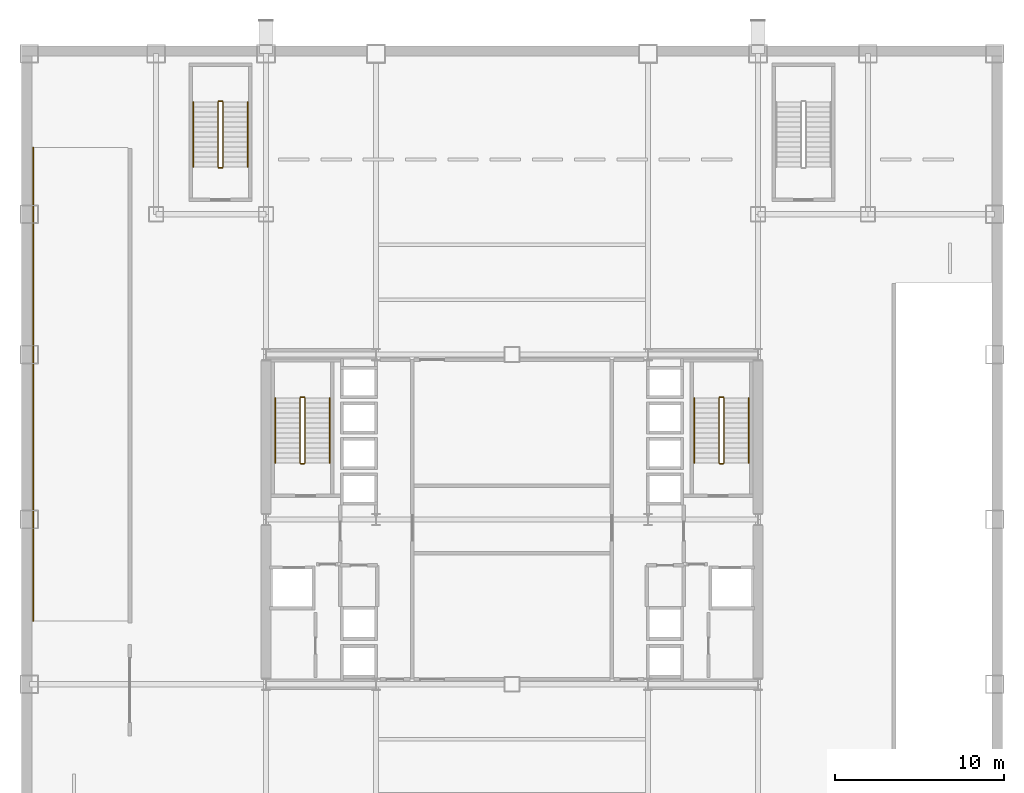
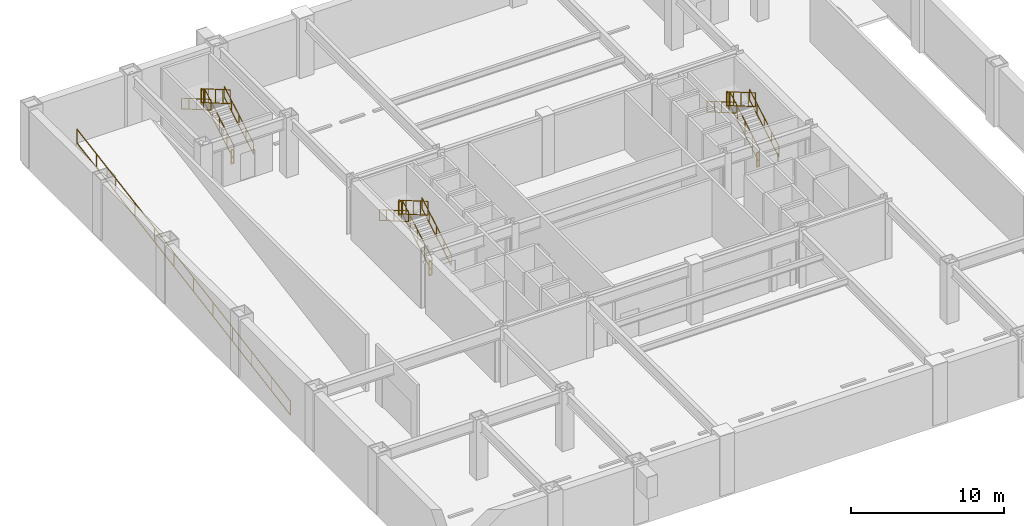
# One storey, part 9 of 10: 19 railings.
"""IFC4 building model written with IfcOpenShell, lengths in metres."""

from ifc_helpers import new_model, si_unit, direction, frame, origin, origin_2d, place, context, subcontext, project, spatial, rectangle, extrude, material, type_object, element, save


model = new_model("IFC4")

# Units and contexts
model_context = context("Model", 3, precision=1e-05, world=origin(), true_north=direction((0.0, 1.0)))
body_context = subcontext(model_context, "Body", "Model", "MODEL_VIEW")
ifc_project = project(units=[si_unit("LENGTHUNIT", "METRE"), si_unit("AREAUNIT", "SQUARE_METRE"), si_unit("VOLUMEUNIT", "CUBIC_METRE"), si_unit("PLANEANGLEUNIT", "RADIAN"), si_unit("MASSUNIT", "GRAM", prefix="KILO")], contexts=[model_context])

# Site, building, storey
site_placement = place(None, origin())
site = spatial("IfcSite", under=ifc_project, at=site_placement, CompositionType="ELEMENT")
building_placement = place(site_placement, origin())
building = spatial("IfcBuilding", under=site, at=building_placement, Name="Brelmoor Portico Tower", CompositionType="ELEMENT")
storey_placement = place(building_placement, frame((0.0, 0.0, -4.800048828125)))
storey = spatial("IfcBuildingStorey", under=building, at=storey_placement, Name="B1", CompositionType="ELEMENT", Elevation=-4.800048828125)

# Railings
ifc_material_1 = material(Name="Painted Tubular Steel Q235B", Category="steel")
railing_type_1 = type_object("IfcRailingType", Name="RL-STAIR-GUARD", PredefinedType="GUARDRAIL", material=ifc_material_1)
railing_1_placement = place(storey_placement, frame((-12.239990234375, 3.35009765625, 0.17138671875)))
element("IfcRailing", 1, at=railing_1_placement, inside=storey, type_object=railing_type_1, Name="B1 ST-W stair guard 1", PredefinedType="GUARDRAIL", context=body_context, shape_type="SweptSolid", body=[
    extrude(rectangle(XDim=0.048095703125, YDim=0.048095703125, at=origin_2d()), frame((0.0, 0.0, 1.1259765625), z_axis=(0.0, 0.864592272851, 0.502474080651), x_axis=(-1.0, 0.0, 0.0)), (0.0, 0.0, 1.0), 4.435546875),
    extrude(rectangle(XDim=0.048095703125, YDim=0.048095703125, at=origin_2d()), frame((0.0, 0.0, 0.02392578125), z_axis=(0.0, 0.864592272851, 0.502474080651), x_axis=(-1.0, 0.0, 0.0)), (0.0, 0.0, 1.0), 4.435546875),
    extrude(rectangle(XDim=0.0419921875, YDim=0.0419921875, at=origin_2d()), origin(), (0.0, 0.0, 1.0), 1.101806640625),
    extrude(rectangle(XDim=0.0419921875, YDim=0.0419921875, at=origin_2d()), frame((0.0, 0.958740234375, 0.55712890625)), (0.0, 0.0, 1.0), 1.101806640625),
    extrude(rectangle(XDim=0.0419921875, YDim=0.0419921875, at=origin_2d()), frame((0.0, 1.91748046875, 1.1142578125)), (0.0, 0.0, 1.0), 1.101806640625),
    extrude(rectangle(XDim=0.0419921875, YDim=0.0419921875, at=origin_2d()), frame((0.0, 2.876220703125, 1.671630859375)), (0.0, 0.0, 1.0), 1.101806640625),
    extrude(rectangle(XDim=0.0419921875, YDim=0.0419921875, at=origin_2d()), frame((0.0, 3.8349609375, 2.228759765625)), (0.0, 0.0, 1.0), 1.101806640625),
])
railing_2_placement = place(storey_placement, frame((-12.2900390625, 7.235107421875, 2.400146484375)))
element("IfcRailing", 2, at=railing_2_placement, inside=storey, type_object=railing_type_1, Name="B1 ST-W stair guard 2", PredefinedType="GUARDRAIL", context=body_context, shape_type="SweptSolid", body=[
    extrude(rectangle(XDim=0.048095703125, YDim=0.048095703125, at=origin_2d()), frame((0.0, 0.0, 1.1259765625), z_axis=(-1.0, 0.0, 0.0), x_axis=(0.0, -1.0, 0.0)), (0.0, 0.0, 1.0), 0.199951171875),
    extrude(rectangle(XDim=0.048095703125, YDim=0.048095703125, at=origin_2d()), frame((0.0, 0.0, 0.02392578125), z_axis=(-1.0, 0.0, 0.0), x_axis=(0.0, -1.0, 0.0)), (0.0, 0.0, 1.0), 0.199951171875),
    extrude(rectangle(XDim=0.0419921875, YDim=0.0419921875, at=origin_2d()), origin(), (0.0, 0.0, 1.0), 1.101806640625),
    extrude(rectangle(XDim=0.0419921875, YDim=0.0419921875, at=origin_2d()), frame((-0.199951171875, 0.0, 0.0)), (0.0, 0.0, 1.0), 1.101806640625),
])
railing_3_placement = place(storey_placement, frame((-12.5400390625, 7.18505859375, 2.571533203125)))
element("IfcRailing", 3, at=railing_3_placement, inside=storey, type_object=railing_type_1, Name="B1 ST-W stair guard 3", PredefinedType="GUARDRAIL", context=body_context, shape_type="SweptSolid", body=[
    extrude(rectangle(XDim=0.048095703125, YDim=0.048095703125, at=origin_2d()), frame((0.0, 0.0, 1.1259765625), z_axis=(0.0, -0.86461618451, 0.502432934314), x_axis=(1.0, 0.0, 0.0)), (0.0, 0.0, 1.0), 4.435546875),
    extrude(rectangle(XDim=0.048095703125, YDim=0.048095703125, at=origin_2d()), frame((0.0, 0.0, 0.02392578125), z_axis=(0.0, -0.86461618451, 0.502432934314), x_axis=(1.0, 0.0, 0.0)), (0.0, 0.0, 1.0), 4.435546875),
    extrude(rectangle(XDim=0.0419921875, YDim=0.0419921875, at=origin_2d()), origin(), (0.0, 0.0, 1.0), 1.101806640625),
    extrude(rectangle(XDim=0.0419921875, YDim=0.0419921875, at=origin_2d()), frame((0.0, -0.958740234375, 0.55712890625)), (0.0, 0.0, 1.0), 1.101806640625),
    extrude(rectangle(XDim=0.0419921875, YDim=0.0419921875, at=origin_2d()), frame((0.0, -1.91748046875, 1.1142578125)), (0.0, 0.0, 1.0), 1.101806640625),
    extrude(rectangle(XDim=0.0419921875, YDim=0.0419921875, at=origin_2d()), frame((0.0, -2.876220703125, 1.67138671875)), (0.0, 0.0, 1.0), 1.101806640625),
    extrude(rectangle(XDim=0.0419921875, YDim=0.0419921875, at=origin_2d()), frame((0.0, -3.8349609375, 2.228515625)), (0.0, 0.0, 1.0), 1.101806640625),
])
railing_4_placement = place(storey_placement, frame((-12.2900390625, 3.300048828125, 0.0)))
element("IfcRailing", 4, at=railing_4_placement, inside=storey, type_object=railing_type_1, Name="B1 ST-W stair guard 4", PredefinedType="GUARDRAIL", context=body_context, shape_type="SweptSolid", body=[
    extrude(rectangle(XDim=0.048095703125, YDim=0.048095703125, at=origin_2d()), frame((0.0, 0.0, 1.1259765625), z_axis=(-1.0, 0.0, 0.0), x_axis=(0.0, -1.0, 0.0)), (0.0, 0.0, 1.0), 0.199951171875),
    extrude(rectangle(XDim=0.048095703125, YDim=0.048095703125, at=origin_2d()), frame((0.0, 0.0, 0.02392578125), z_axis=(-1.0, 0.0, 0.0), x_axis=(0.0, -1.0, 0.0)), (0.0, 0.0, 1.0), 0.199951171875),
    extrude(rectangle(XDim=0.0419921875, YDim=0.0419921875, at=origin_2d()), origin(), (0.0, 0.0, 1.0), 1.101806640625),
    extrude(rectangle(XDim=0.0419921875, YDim=0.0419921875, at=origin_2d()), frame((-0.199951171875, 0.0, 0.0)), (0.0, 0.0, 1.0), 1.101806640625),
])
railing_5_placement = place(storey_placement, frame((12.5400390625, 3.35009765625, 0.17138671875)))
element("IfcRailing", 5, at=railing_5_placement, inside=storey, type_object=railing_type_1, Name="B1 ST-E stair guard 1", PredefinedType="GUARDRAIL", context=body_context, shape_type="SweptSolid", body=[
    extrude(rectangle(XDim=0.048095703125, YDim=0.048095703125, at=origin_2d()), frame((0.0, 0.0, 1.1259765625), z_axis=(0.0, 0.864592272851, 0.502474080651), x_axis=(-1.0, 0.0, 0.0)), (0.0, 0.0, 1.0), 4.435546875),
    extrude(rectangle(XDim=0.048095703125, YDim=0.048095703125, at=origin_2d()), frame((0.0, 0.0, 0.02392578125), z_axis=(0.0, 0.864592272851, 0.502474080651), x_axis=(-1.0, 0.0, 0.0)), (0.0, 0.0, 1.0), 4.435546875),
    extrude(rectangle(XDim=0.0419921875, YDim=0.0419921875, at=origin_2d()), origin(), (0.0, 0.0, 1.0), 1.101806640625),
    extrude(rectangle(XDim=0.0419921875, YDim=0.0419921875, at=origin_2d()), frame((0.0, 0.958740234375, 0.55712890625)), (0.0, 0.0, 1.0), 1.101806640625),
    extrude(rectangle(XDim=0.0419921875, YDim=0.0419921875, at=origin_2d()), frame((0.0, 1.91748046875, 1.1142578125)), (0.0, 0.0, 1.0), 1.101806640625),
    extrude(rectangle(XDim=0.0419921875, YDim=0.0419921875, at=origin_2d()), frame((0.0, 2.876220703125, 1.671630859375)), (0.0, 0.0, 1.0), 1.101806640625),
    extrude(rectangle(XDim=0.0419921875, YDim=0.0419921875, at=origin_2d()), frame((0.0, 3.8349609375, 2.228759765625)), (0.0, 0.0, 1.0), 1.101806640625),
])
railing_6_placement = place(storey_placement, frame((12.489990234375, 7.235107421875, 2.400146484375)))
element("IfcRailing", 6, at=railing_6_placement, inside=storey, type_object=railing_type_1, Name="B1 ST-E stair guard 2", PredefinedType="GUARDRAIL", context=body_context, shape_type="SweptSolid", body=[
    extrude(rectangle(XDim=0.048095703125, YDim=0.048095703125, at=origin_2d()), frame((0.0, 0.0, 1.1259765625), z_axis=(-1.0, 0.0, 0.0), x_axis=(0.0, -1.0, 0.0)), (0.0, 0.0, 1.0), 0.199951171875),
    extrude(rectangle(XDim=0.048095703125, YDim=0.048095703125, at=origin_2d()), frame((0.0, 0.0, 0.02392578125), z_axis=(-1.0, 0.0, 0.0), x_axis=(0.0, -1.0, 0.0)), (0.0, 0.0, 1.0), 0.199951171875),
    extrude(rectangle(XDim=0.0419921875, YDim=0.0419921875, at=origin_2d()), origin(), (0.0, 0.0, 1.0), 1.101806640625),
    extrude(rectangle(XDim=0.0419921875, YDim=0.0419921875, at=origin_2d()), frame((-0.199951171875, 0.0, 0.0)), (0.0, 0.0, 1.0), 1.101806640625),
])
railing_7_placement = place(storey_placement, frame((12.239990234375, 7.18505859375, 2.571533203125)))
element("IfcRailing", 7, at=railing_7_placement, inside=storey, type_object=railing_type_1, Name="B1 ST-E stair guard 3", PredefinedType="GUARDRAIL", context=body_context, shape_type="SweptSolid", body=[
    extrude(rectangle(XDim=0.048095703125, YDim=0.048095703125, at=origin_2d()), frame((0.0, 0.0, 1.1259765625), z_axis=(0.0, -0.86461618451, 0.502432934314), x_axis=(1.0, 0.0, 0.0)), (0.0, 0.0, 1.0), 4.435546875),
    extrude(rectangle(XDim=0.048095703125, YDim=0.048095703125, at=origin_2d()), frame((0.0, 0.0, 0.02392578125), z_axis=(0.0, -0.86461618451, 0.502432934314), x_axis=(1.0, 0.0, 0.0)), (0.0, 0.0, 1.0), 4.435546875),
    extrude(rectangle(XDim=0.0419921875, YDim=0.0419921875, at=origin_2d()), origin(), (0.0, 0.0, 1.0), 1.101806640625),
    extrude(rectangle(XDim=0.0419921875, YDim=0.0419921875, at=origin_2d()), frame((0.0, -0.958740234375, 0.55712890625)), (0.0, 0.0, 1.0), 1.101806640625),
    extrude(rectangle(XDim=0.0419921875, YDim=0.0419921875, at=origin_2d()), frame((0.0, -1.91748046875, 1.1142578125)), (0.0, 0.0, 1.0), 1.101806640625),
    extrude(rectangle(XDim=0.0419921875, YDim=0.0419921875, at=origin_2d()), frame((0.0, -2.876220703125, 1.67138671875)), (0.0, 0.0, 1.0), 1.101806640625),
    extrude(rectangle(XDim=0.0419921875, YDim=0.0419921875, at=origin_2d()), frame((0.0, -3.8349609375, 2.228515625)), (0.0, 0.0, 1.0), 1.101806640625),
])
railing_8_placement = place(storey_placement, frame((12.489990234375, 3.300048828125, 0.0)))
element("IfcRailing", 8, at=railing_8_placement, inside=storey, type_object=railing_type_1, Name="B1 ST-E stair guard 4", PredefinedType="GUARDRAIL", context=body_context, shape_type="SweptSolid", body=[
    extrude(rectangle(XDim=0.048095703125, YDim=0.048095703125, at=origin_2d()), frame((0.0, 0.0, 1.1259765625), z_axis=(-1.0, 0.0, 0.0), x_axis=(0.0, -1.0, 0.0)), (0.0, 0.0, 1.0), 0.199951171875),
    extrude(rectangle(XDim=0.048095703125, YDim=0.048095703125, at=origin_2d()), frame((0.0, 0.0, 0.02392578125), z_axis=(-1.0, 0.0, 0.0), x_axis=(0.0, -1.0, 0.0)), (0.0, 0.0, 1.0), 0.199951171875),
    extrude(rectangle(XDim=0.0419921875, YDim=0.0419921875, at=origin_2d()), origin(), (0.0, 0.0, 1.0), 1.101806640625),
    extrude(rectangle(XDim=0.0419921875, YDim=0.0419921875, at=origin_2d()), frame((-0.199951171875, 0.0, 0.0)), (0.0, 0.0, 1.0), 1.101806640625),
])
railing_9_placement = place(storey_placement, frame((-17.090087890625, 20.85009765625, 0.17138671875)))
element("IfcRailing", 9, at=railing_9_placement, inside=storey, type_object=railing_type_1, Name="B1 ST-P1 stair guard 1", PredefinedType="GUARDRAIL", context=body_context, shape_type="SweptSolid", body=[
    extrude(rectangle(XDim=0.048095703125, YDim=0.048095703125, at=origin_2d()), frame((0.0, 0.0, 1.1259765625), z_axis=(0.0, 0.864592272851, 0.502474080651), x_axis=(-1.0, 0.0, 0.0)), (0.0, 0.0, 1.0), 4.435546875),
    extrude(rectangle(XDim=0.048095703125, YDim=0.048095703125, at=origin_2d()), frame((0.0, 0.0, 0.02392578125), z_axis=(0.0, 0.864592272851, 0.502474080651), x_axis=(-1.0, 0.0, 0.0)), (0.0, 0.0, 1.0), 4.435546875),
    extrude(rectangle(XDim=0.0419921875, YDim=0.0419921875, at=origin_2d()), origin(), (0.0, 0.0, 1.0), 1.101806640625),
    extrude(rectangle(XDim=0.0419921875, YDim=0.0419921875, at=origin_2d()), frame((0.0, 0.958740234375, 0.55712890625)), (0.0, 0.0, 1.0), 1.101806640625),
    extrude(rectangle(XDim=0.0419921875, YDim=0.0419921875, at=origin_2d()), frame((0.0, 1.91748046875, 1.1142578125)), (0.0, 0.0, 1.0), 1.101806640625),
    extrude(rectangle(XDim=0.0419921875, YDim=0.0419921875, at=origin_2d()), frame((0.0, 2.876220703125, 1.671630859375)), (0.0, 0.0, 1.0), 1.101806640625),
    extrude(rectangle(XDim=0.0419921875, YDim=0.0419921875, at=origin_2d()), frame((0.0, 3.8349609375, 2.228759765625)), (0.0, 0.0, 1.0), 1.101806640625),
])
railing_10_placement = place(storey_placement, frame((-17.139892578125, 24.735107421875, 2.400146484375)))
element("IfcRailing", 10, at=railing_10_placement, inside=storey, type_object=railing_type_1, Name="B1 ST-P1 stair guard 2", PredefinedType="GUARDRAIL", context=body_context, shape_type="SweptSolid", body=[
    extrude(rectangle(XDim=0.048095703125, YDim=0.048095703125, at=origin_2d()), frame((0.0, 0.0, 1.1259765625), z_axis=(-1.0, 0.0, 0.0), x_axis=(0.0, -1.0, 0.0)), (0.0, 0.0, 1.0), 0.2001953125),
    extrude(rectangle(XDim=0.048095703125, YDim=0.048095703125, at=origin_2d()), frame((0.0, 0.0, 0.02392578125), z_axis=(-1.0, 0.0, 0.0), x_axis=(0.0, -1.0, 0.0)), (0.0, 0.0, 1.0), 0.2001953125),
    extrude(rectangle(XDim=0.0419921875, YDim=0.0419921875, at=origin_2d()), origin(), (0.0, 0.0, 1.0), 1.101806640625),
    extrude(rectangle(XDim=0.0419921875, YDim=0.0419921875, at=origin_2d()), frame((-0.2001953125, 0.0, 0.0)), (0.0, 0.0, 1.0), 1.101806640625),
])
railing_11_placement = place(storey_placement, frame((-17.389892578125, 24.68505859375, 2.571533203125)))
element("IfcRailing", 11, at=railing_11_placement, inside=storey, type_object=railing_type_1, Name="B1 ST-P1 stair guard 3", PredefinedType="GUARDRAIL", context=body_context, shape_type="SweptSolid", body=[
    extrude(rectangle(XDim=0.048095703125, YDim=0.048095703125, at=origin_2d()), frame((0.0, 0.0, 1.1259765625), z_axis=(0.0, -0.86461618451, 0.502432934314), x_axis=(1.0, 0.0, 0.0)), (0.0, 0.0, 1.0), 4.435546875),
    extrude(rectangle(XDim=0.048095703125, YDim=0.048095703125, at=origin_2d()), frame((0.0, 0.0, 0.02392578125), z_axis=(0.0, -0.86461618451, 0.502432934314), x_axis=(1.0, 0.0, 0.0)), (0.0, 0.0, 1.0), 4.435546875),
    extrude(rectangle(XDim=0.0419921875, YDim=0.0419921875, at=origin_2d()), origin(), (0.0, 0.0, 1.0), 1.101806640625),
    extrude(rectangle(XDim=0.0419921875, YDim=0.0419921875, at=origin_2d()), frame((0.0, -0.958740234375, 0.55712890625)), (0.0, 0.0, 1.0), 1.101806640625),
    extrude(rectangle(XDim=0.0419921875, YDim=0.0419921875, at=origin_2d()), frame((0.0, -1.91748046875, 1.1142578125)), (0.0, 0.0, 1.0), 1.101806640625),
    extrude(rectangle(XDim=0.0419921875, YDim=0.0419921875, at=origin_2d()), frame((0.0, -2.876220703125, 1.67138671875)), (0.0, 0.0, 1.0), 1.101806640625),
    extrude(rectangle(XDim=0.0419921875, YDim=0.0419921875, at=origin_2d()), frame((0.0, -3.8349609375, 2.228515625)), (0.0, 0.0, 1.0), 1.101806640625),
])
railing_12_placement = place(storey_placement, frame((-17.139892578125, 20.800048828125, 0.0)))
element("IfcRailing", 12, at=railing_12_placement, inside=storey, type_object=railing_type_1, Name="B1 ST-P1 stair guard 4", PredefinedType="GUARDRAIL", context=body_context, shape_type="SweptSolid", body=[
    extrude(rectangle(XDim=0.048095703125, YDim=0.048095703125, at=origin_2d()), frame((0.0, 0.0, 1.1259765625), z_axis=(-1.0, 0.0, 0.0), x_axis=(0.0, -1.0, 0.0)), (0.0, 0.0, 1.0), 0.2001953125),
    extrude(rectangle(XDim=0.048095703125, YDim=0.048095703125, at=origin_2d()), frame((0.0, 0.0, 0.02392578125), z_axis=(-1.0, 0.0, 0.0), x_axis=(0.0, -1.0, 0.0)), (0.0, 0.0, 1.0), 0.2001953125),
    extrude(rectangle(XDim=0.0419921875, YDim=0.0419921875, at=origin_2d()), origin(), (0.0, 0.0, 1.0), 1.101806640625),
    extrude(rectangle(XDim=0.0419921875, YDim=0.0419921875, at=origin_2d()), frame((-0.2001953125, 0.0, 0.0)), (0.0, 0.0, 1.0), 1.101806640625),
])
railing_13_placement = place(storey_placement, frame((-28.320068359375, -6.0, 0.0)))
element("IfcRailing", 13, at=railing_13_placement, inside=storey, type_object=railing_type_1, Name="Vehicle Ramp VR-1 Outer Curb Guardrail", PredefinedType="GUARDRAIL", context=body_context, shape_type="SweptSolid", body=[
    extrude(rectangle(XDim=0.048095703125, YDim=0.048095703125, at=origin_2d()), frame((0.0, 0.0, 1.1259765625), z_axis=(0.0, 0.985621968574, 0.16896548483), x_axis=(-1.0, 0.0, 0.0)), (0.0, 0.0, 1.0), 28.408447265625),
    extrude(rectangle(XDim=0.048095703125, YDim=0.048095703125, at=origin_2d()), frame((0.0, 0.0, 0.02392578125), z_axis=(0.0, 0.985621968574, 0.16896548483), x_axis=(-1.0, 0.0, 0.0)), (0.0, 0.0, 1.0), 28.408447265625),
    extrude(rectangle(XDim=0.0419921875, YDim=0.0419921875, at=origin_2d()), origin(), (0.0, 0.0, 1.0), 1.101806640625),
    extrude(rectangle(XDim=0.0419921875, YDim=0.0419921875, at=origin_2d()), frame((0.0, 2.54541015625, 0.436279296875)), (0.0, 0.0, 1.0), 1.101806640625),
    extrude(rectangle(XDim=0.0419921875, YDim=0.0419921875, at=origin_2d()), frame((0.0, 5.0908203125, 0.872802734375)), (0.0, 0.0, 1.0), 1.101806640625),
    extrude(rectangle(XDim=0.0419921875, YDim=0.0419921875, at=origin_2d()), frame((0.0, 7.636474609375, 1.30908203125)), (0.0, 0.0, 1.0), 1.101806640625),
    extrude(rectangle(XDim=0.0419921875, YDim=0.0419921875, at=origin_2d()), frame((0.0, 10.181884765625, 1.745361328125)), (0.0, 0.0, 1.0), 1.101806640625),
    extrude(rectangle(XDim=0.0419921875, YDim=0.0419921875, at=origin_2d()), frame((0.0, 12.727294921875, 2.181884765625)), (0.0, 0.0, 1.0), 1.101806640625),
    extrude(rectangle(XDim=0.0419921875, YDim=0.0419921875, at=origin_2d()), frame((0.0, 15.272705078125, 2.6181640625)), (0.0, 0.0, 1.0), 1.101806640625),
    extrude(rectangle(XDim=0.0419921875, YDim=0.0419921875, at=origin_2d()), frame((0.0, 17.818115234375, 3.0546875)), (0.0, 0.0, 1.0), 1.101806640625),
    extrude(rectangle(XDim=0.0419921875, YDim=0.0419921875, at=origin_2d()), frame((0.0, 20.363525390625, 3.490966796875)), (0.0, 0.0, 1.0), 1.101806640625),
    extrude(rectangle(XDim=0.0419921875, YDim=0.0419921875, at=origin_2d()), frame((0.0, 22.9091796875, 3.92724609375)), (0.0, 0.0, 1.0), 1.101806640625),
    extrude(rectangle(XDim=0.0419921875, YDim=0.0419921875, at=origin_2d()), frame((0.0, 25.45458984375, 4.36376953125)), (0.0, 0.0, 1.0), 1.101806640625),
    extrude(rectangle(XDim=0.0419921875, YDim=0.0419921875, at=origin_2d()), frame((0.0, 28.0, 4.800048828125)), (0.0, 0.0, 1.0), 1.101806640625),
])
ifc_material_2 = material(Name="Brushed Stainless Steel 304", Category="steel")
railing_type_2 = type_object("IfcRailingType", Name="RL-STAIR-HANDRAIL", PredefinedType="HANDRAIL", material=ifc_material_2)
railing_14_placement = place(storey_placement, frame((-10.780029296875, 3.35009765625, 0.17138671875)))
element("IfcRailing", 14, at=railing_14_placement, inside=storey, type_object=railing_type_2, Name="B1 ST-W stair handrail 1", PredefinedType="HANDRAIL", context=body_context, shape_type="SweptSolid", body=[
    extrude(rectangle(XDim=0.048095703125, YDim=0.048095703125, at=origin_2d()), frame((0.0, 0.0, 0.8759765625), z_axis=(0.0, 0.864592272851, 0.502474080651), x_axis=(-1.0, 0.0, 0.0)), (0.0, 0.0, 1.0), 4.435546875),
    extrude(rectangle(XDim=0.048095703125, YDim=0.048095703125, at=origin_2d()), frame((0.0, 0.0, 0.02392578125), z_axis=(0.0, 0.864592272851, 0.502474080651), x_axis=(-1.0, 0.0, 0.0)), (0.0, 0.0, 1.0), 4.435546875),
    extrude(rectangle(XDim=0.0419921875, YDim=0.0419921875, at=origin_2d()), origin(), (0.0, 0.0, 1.0), 0.851806640625),
    extrude(rectangle(XDim=0.0419921875, YDim=0.0419921875, at=origin_2d()), frame((0.0, 0.958740234375, 0.55712890625)), (0.0, 0.0, 1.0), 0.851806640625),
    extrude(rectangle(XDim=0.0419921875, YDim=0.0419921875, at=origin_2d()), frame((0.0, 1.91748046875, 1.1142578125)), (0.0, 0.0, 1.0), 0.851806640625),
    extrude(rectangle(XDim=0.0419921875, YDim=0.0419921875, at=origin_2d()), frame((0.0, 2.876220703125, 1.671630859375)), (0.0, 0.0, 1.0), 0.851806640625),
    extrude(rectangle(XDim=0.0419921875, YDim=0.0419921875, at=origin_2d()), frame((0.0, 3.8349609375, 2.228759765625)), (0.0, 0.0, 1.0), 0.851806640625),
])
railing_15_placement = place(storey_placement, frame((-14.0, 7.18505859375, 2.571533203125)))
element("IfcRailing", 15, at=railing_15_placement, inside=storey, type_object=railing_type_2, Name="B1 ST-W stair handrail 2", PredefinedType="HANDRAIL", context=body_context, shape_type="SweptSolid", body=[
    extrude(rectangle(XDim=0.048095703125, YDim=0.048095703125, at=origin_2d()), frame((0.0, 0.0, 0.8759765625), z_axis=(0.0, -0.86461618451, 0.502432934314), x_axis=(1.0, 0.0, 0.0)), (0.0, 0.0, 1.0), 4.435546875),
    extrude(rectangle(XDim=0.048095703125, YDim=0.048095703125, at=origin_2d()), frame((0.0, 0.0, 0.02392578125), z_axis=(0.0, -0.86461618451, 0.502432934314), x_axis=(1.0, 0.0, 0.0)), (0.0, 0.0, 1.0), 4.435546875),
    extrude(rectangle(XDim=0.0419921875, YDim=0.0419921875, at=origin_2d()), origin(), (0.0, 0.0, 1.0), 0.851806640625),
    extrude(rectangle(XDim=0.0419921875, YDim=0.0419921875, at=origin_2d()), frame((0.0, -0.958740234375, 0.55712890625)), (0.0, 0.0, 1.0), 0.851806640625),
    extrude(rectangle(XDim=0.0419921875, YDim=0.0419921875, at=origin_2d()), frame((0.0, -1.91748046875, 1.1142578125)), (0.0, 0.0, 1.0), 0.851806640625),
    extrude(rectangle(XDim=0.0419921875, YDim=0.0419921875, at=origin_2d()), frame((0.0, -2.876220703125, 1.67138671875)), (0.0, 0.0, 1.0), 0.851806640625),
    extrude(rectangle(XDim=0.0419921875, YDim=0.0419921875, at=origin_2d()), frame((0.0, -3.8349609375, 2.228515625)), (0.0, 0.0, 1.0), 0.851806640625),
])
railing_16_placement = place(storey_placement, frame((14.0, 3.35009765625, 0.17138671875)))
element("IfcRailing", 16, at=railing_16_placement, inside=storey, type_object=railing_type_2, Name="B1 ST-E stair handrail 1", PredefinedType="HANDRAIL", context=body_context, shape_type="SweptSolid", body=[
    extrude(rectangle(XDim=0.048095703125, YDim=0.048095703125, at=origin_2d()), frame((0.0, 0.0, 0.8759765625), z_axis=(0.0, 0.864592272851, 0.502474080651), x_axis=(-1.0, 0.0, 0.0)), (0.0, 0.0, 1.0), 4.435546875),
    extrude(rectangle(XDim=0.048095703125, YDim=0.048095703125, at=origin_2d()), frame((0.0, 0.0, 0.02392578125), z_axis=(0.0, 0.864592272851, 0.502474080651), x_axis=(-1.0, 0.0, 0.0)), (0.0, 0.0, 1.0), 4.435546875),
    extrude(rectangle(XDim=0.0419921875, YDim=0.0419921875, at=origin_2d()), origin(), (0.0, 0.0, 1.0), 0.851806640625),
    extrude(rectangle(XDim=0.0419921875, YDim=0.0419921875, at=origin_2d()), frame((0.0, 0.958740234375, 0.55712890625)), (0.0, 0.0, 1.0), 0.851806640625),
    extrude(rectangle(XDim=0.0419921875, YDim=0.0419921875, at=origin_2d()), frame((0.0, 1.91748046875, 1.1142578125)), (0.0, 0.0, 1.0), 0.851806640625),
    extrude(rectangle(XDim=0.0419921875, YDim=0.0419921875, at=origin_2d()), frame((0.0, 2.876220703125, 1.671630859375)), (0.0, 0.0, 1.0), 0.851806640625),
    extrude(rectangle(XDim=0.0419921875, YDim=0.0419921875, at=origin_2d()), frame((0.0, 3.8349609375, 2.228759765625)), (0.0, 0.0, 1.0), 0.851806640625),
])
railing_17_placement = place(storey_placement, frame((10.780029296875, 7.18505859375, 2.571533203125)))
element("IfcRailing", 17, at=railing_17_placement, inside=storey, type_object=railing_type_2, Name="B1 ST-E stair handrail 2", PredefinedType="HANDRAIL", context=body_context, shape_type="SweptSolid", body=[
    extrude(rectangle(XDim=0.048095703125, YDim=0.048095703125, at=origin_2d()), frame((0.0, 0.0, 0.8759765625), z_axis=(0.0, -0.86461618451, 0.502432934314), x_axis=(1.0, 0.0, 0.0)), (0.0, 0.0, 1.0), 4.435546875),
    extrude(rectangle(XDim=0.048095703125, YDim=0.048095703125, at=origin_2d()), frame((0.0, 0.0, 0.02392578125), z_axis=(0.0, -0.86461618451, 0.502432934314), x_axis=(1.0, 0.0, 0.0)), (0.0, 0.0, 1.0), 4.435546875),
    extrude(rectangle(XDim=0.0419921875, YDim=0.0419921875, at=origin_2d()), origin(), (0.0, 0.0, 1.0), 0.851806640625),
    extrude(rectangle(XDim=0.0419921875, YDim=0.0419921875, at=origin_2d()), frame((0.0, -0.958740234375, 0.55712890625)), (0.0, 0.0, 1.0), 0.851806640625),
    extrude(rectangle(XDim=0.0419921875, YDim=0.0419921875, at=origin_2d()), frame((0.0, -1.91748046875, 1.1142578125)), (0.0, 0.0, 1.0), 0.851806640625),
    extrude(rectangle(XDim=0.0419921875, YDim=0.0419921875, at=origin_2d()), frame((0.0, -2.876220703125, 1.67138671875)), (0.0, 0.0, 1.0), 0.851806640625),
    extrude(rectangle(XDim=0.0419921875, YDim=0.0419921875, at=origin_2d()), frame((0.0, -3.8349609375, 2.228515625)), (0.0, 0.0, 1.0), 0.851806640625),
])
railing_18_placement = place(storey_placement, frame((-15.6298828125, 20.85009765625, 0.17138671875)))
element("IfcRailing", 18, at=railing_18_placement, inside=storey, type_object=railing_type_2, Name="B1 ST-P1 stair handrail 1", PredefinedType="HANDRAIL", context=body_context, shape_type="SweptSolid", body=[
    extrude(rectangle(XDim=0.048095703125, YDim=0.048095703125, at=origin_2d()), frame((0.0, 0.0, 0.8759765625), z_axis=(0.0, 0.864592272851, 0.502474080651), x_axis=(-1.0, 0.0, 0.0)), (0.0, 0.0, 1.0), 4.435546875),
    extrude(rectangle(XDim=0.048095703125, YDim=0.048095703125, at=origin_2d()), frame((0.0, 0.0, 0.02392578125), z_axis=(0.0, 0.864592272851, 0.502474080651), x_axis=(-1.0, 0.0, 0.0)), (0.0, 0.0, 1.0), 4.435546875),
    extrude(rectangle(XDim=0.0419921875, YDim=0.0419921875, at=origin_2d()), origin(), (0.0, 0.0, 1.0), 0.851806640625),
    extrude(rectangle(XDim=0.0419921875, YDim=0.0419921875, at=origin_2d()), frame((0.0, 0.958740234375, 0.55712890625)), (0.0, 0.0, 1.0), 0.851806640625),
    extrude(rectangle(XDim=0.0419921875, YDim=0.0419921875, at=origin_2d()), frame((0.0, 1.91748046875, 1.1142578125)), (0.0, 0.0, 1.0), 0.851806640625),
    extrude(rectangle(XDim=0.0419921875, YDim=0.0419921875, at=origin_2d()), frame((0.0, 2.876220703125, 1.671630859375)), (0.0, 0.0, 1.0), 0.851806640625),
    extrude(rectangle(XDim=0.0419921875, YDim=0.0419921875, at=origin_2d()), frame((0.0, 3.8349609375, 2.228759765625)), (0.0, 0.0, 1.0), 0.851806640625),
])
railing_19_placement = place(storey_placement, frame((-18.85009765625, 24.68505859375, 2.571533203125)))
element("IfcRailing", 19, at=railing_19_placement, inside=storey, type_object=railing_type_2, Name="B1 ST-P1 stair handrail 2", PredefinedType="HANDRAIL", context=body_context, shape_type="SweptSolid", body=[
    extrude(rectangle(XDim=0.048095703125, YDim=0.048095703125, at=origin_2d()), frame((0.0, 0.0, 0.8759765625), z_axis=(0.0, -0.86461618451, 0.502432934314), x_axis=(1.0, 0.0, 0.0)), (0.0, 0.0, 1.0), 4.435546875),
    extrude(rectangle(XDim=0.048095703125, YDim=0.048095703125, at=origin_2d()), frame((0.0, 0.0, 0.02392578125), z_axis=(0.0, -0.86461618451, 0.502432934314), x_axis=(1.0, 0.0, 0.0)), (0.0, 0.0, 1.0), 4.435546875),
    extrude(rectangle(XDim=0.0419921875, YDim=0.0419921875, at=origin_2d()), origin(), (0.0, 0.0, 1.0), 0.851806640625),
    extrude(rectangle(XDim=0.0419921875, YDim=0.0419921875, at=origin_2d()), frame((0.0, -0.958740234375, 0.55712890625)), (0.0, 0.0, 1.0), 0.851806640625),
    extrude(rectangle(XDim=0.0419921875, YDim=0.0419921875, at=origin_2d()), frame((0.0, -1.91748046875, 1.1142578125)), (0.0, 0.0, 1.0), 0.851806640625),
    extrude(rectangle(XDim=0.0419921875, YDim=0.0419921875, at=origin_2d()), frame((0.0, -2.876220703125, 1.67138671875)), (0.0, 0.0, 1.0), 0.851806640625),
    extrude(rectangle(XDim=0.0419921875, YDim=0.0419921875, at=origin_2d()), frame((0.0, -3.8349609375, 2.228515625)), (0.0, 0.0, 1.0), 0.851806640625),
])

save(model, "model.ifc")
